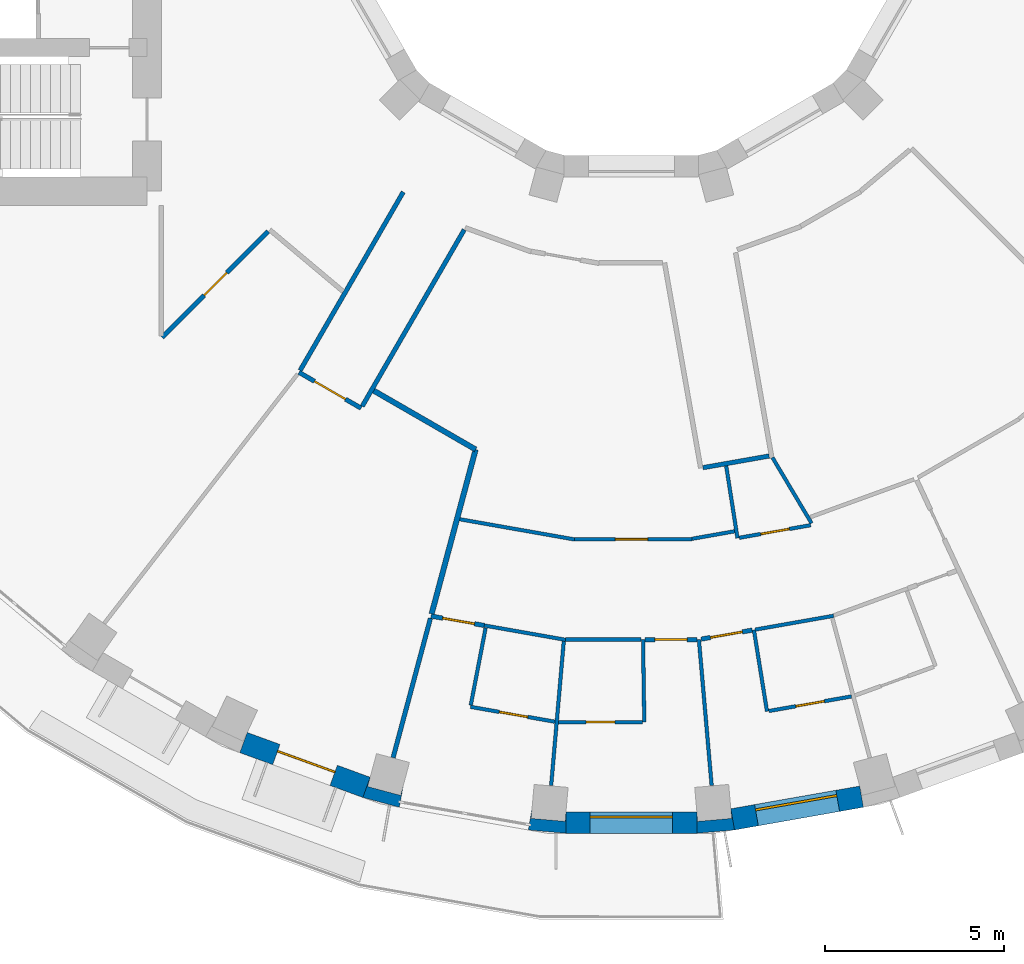
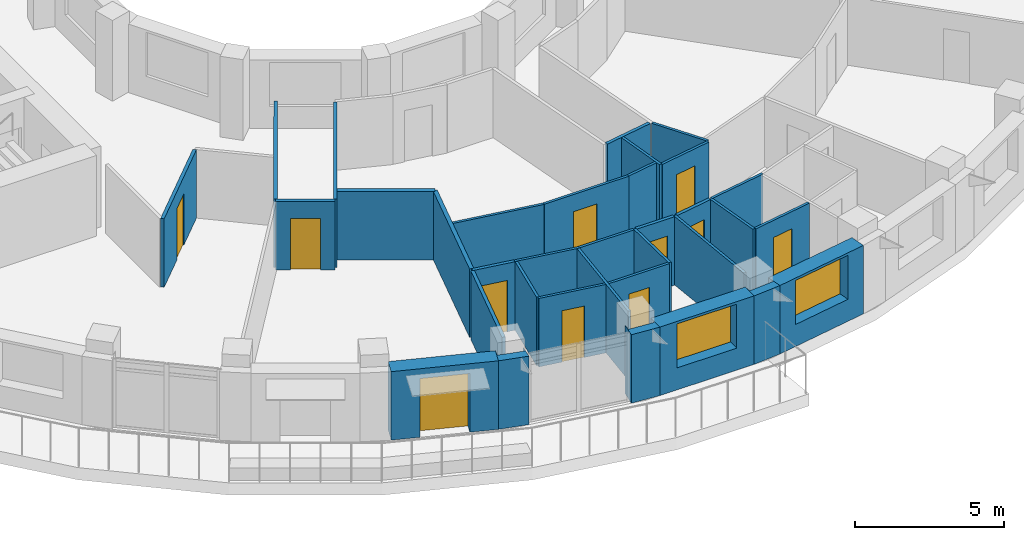
# One storey, part 4 of 14: 34 walls, 11 doors, 2 windows, 13 openings.
"""IFC4 building model written with IfcOpenShell, lengths in metres."""

import ifcopenshell
import ifcopenshell.guid

model = None  # the IFC model being written
_history = None  # IfcOwnerHistory: only IFC2X3 demands one
_inside = {}  # id of a spatial element -> (the spatial element, [elements in it])
_under = {}  # id of a project, library or spatial element -> (it, [spatial elements below it])
_declared = {}  # id of a project -> (the project, [libraries it declares])
_typed = {}  # id of a type object -> (the type object, [elements of that type])
_made_of = {}  # id of a material, layer set ... -> (it, [elements and type objects made of it])


def new_model(schema):
    """Start an empty IFC model of exactly this schema.

    Asked for "IFC4X3", IfcOpenShell would pick the latest addendum, in which some entities
    have other attributes; the version numbers below select the first issue.
    IFC2X3 requires an IfcOwnerHistory on every rooted entity: one is made here for all.
    """
    global model, _history
    if schema == "IFC4X3":
        model = ifcopenshell.file(schema_version=(4, 3, 0, 0))
    else:
        model = ifcopenshell.file(schema=schema)
    _inside.clear()
    _under.clear()
    _declared.clear()
    _typed.clear()
    _made_of.clear()
    _history = None
    if model.schema == "IFC2X3":
        org = make("IfcOrganization", Name="unknown")
        user = make(
            "IfcPersonAndOrganization",
            ThePerson=make("IfcPerson", FamilyName="unknown"),
            TheOrganization=org,
        )
        app = make(
            "IfcApplication",
            ApplicationDeveloper=org,
            Version="unknown",
            ApplicationFullName="unknown",
            ApplicationIdentifier="unknown",
        )
        _history = make(
            "IfcOwnerHistory",
            OwningUser=user,
            OwningApplication=app,
            ChangeAction="ADDED",
            CreationDate=0,
        )
    return model


def make(cls, **values):
    """One entity of the class cls with the attributes given. An attribute that is None is left unset."""
    return model.create_entity(
        cls, **{name: value for name, value in values.items() if value is not None}
    )


def rooted(cls, **values):
    """An entity with a GlobalId (a new one), such as an element, a storey or a relation."""
    return make(cls, GlobalId=ifcopenshell.guid.new(), OwnerHistory=_history, **values)


def si_unit(unit_type, name, prefix=None):
    """IfcSIUnit, for example si_unit("LENGTHUNIT", "METRE", prefix="MILLI")."""
    return make("IfcSIUnit", UnitType=unit_type, Prefix=prefix, Name=name)


def assignment(units):
    """IfcUnitAssignment: the units of a project."""
    return None if units is None else make("IfcUnitAssignment", Units=units)


def point(xyz):
    """IfcCartesianPoint."""
    return None if xyz is None else make("IfcCartesianPoint", Coordinates=xyz)


def direction(xyz):
    """IfcDirection."""
    return None if xyz is None else make("IfcDirection", DirectionRatios=xyz)


def frame(location, z_axis=None, x_axis=None):
    """IfcAxis2Placement3D, a coordinate frame: its origin and axes. An axis left out is left unset."""
    return make(
        "IfcAxis2Placement3D",
        Location=point(location),
        Axis=direction(z_axis),
        RefDirection=direction(x_axis),
    )


def frame_2d(location, x_axis=None):
    """IfcAxis2Placement2D, a coordinate frame in the plane: its origin and x axis."""
    return make(
        "IfcAxis2Placement2D", Location=point(location), RefDirection=direction(x_axis)
    )


def origin():
    """The frame at (0, 0, 0) with its axes left unset."""
    return frame((0.0, 0.0, 0.0))


def place(relative_to, where):
    """IfcLocalPlacement: puts the frame where relative to a parent placement (None: the world)."""
    return make(
        "IfcLocalPlacement", PlacementRelTo=relative_to, RelativePlacement=where
    )


def context(
    kind, dimensions, precision=None, world=None, true_north=None, identifier=None
):
    """IfcGeometricRepresentationContext, for example the 3D "Model" context."""
    return make(
        "IfcGeometricRepresentationContext",
        ContextIdentifier=identifier,
        ContextType=kind,
        CoordinateSpaceDimension=dimensions,
        Precision=precision,
        WorldCoordinateSystem=world,
        TrueNorth=true_north,
    )


def subcontext(parent, identifier, kind, view, scale=None):
    """IfcGeometricRepresentationSubContext, for example "Body" below "Model"."""
    return make(
        "IfcGeometricRepresentationSubContext",
        ContextIdentifier=identifier,
        ContextType=kind,
        ParentContext=parent,
        TargetScale=scale,
        TargetView=view,
    )


def project(units=None, contexts=None):
    """IfcProject with its units and contexts."""
    return rooted(
        "IfcProject",
        Name="project",
        RepresentationContexts=contexts,
        UnitsInContext=assignment(units),
    )


def spatial(cls, under=None, at=None, **own):
    """A site, building, storey or space (cls), placed at a placement, below another one or the project."""
    s = rooted(cls, ObjectPlacement=at, **own)
    if under is not None:
        _under.setdefault(under.id(), (under, []))[1].append(s)
    return s


def polyline(points):
    """IfcPolyline through the points."""
    return make("IfcPolyline", Points=[point(p) for p in points])


def profile(cls, at=None, kind="AREA", **sizes):
    """A parametric profile (cls). Its sizes go by their IFC names, for example OverallWidth=200.0."""
    return make(cls, ProfileType=kind, Position=at, **sizes)


def rectangle(**sizes):
    """IfcRectangleProfileDef."""
    return profile("IfcRectangleProfileDef", **sizes)


def outline(outer, holes=None, kind="AREA"):
    """IfcArbitraryClosedProfileDef: a profile drawn as a closed curve; with holes, ...WithVoids."""
    if holes is None:
        return make("IfcArbitraryClosedProfileDef", ProfileType=kind, OuterCurve=outer)
    return make(
        "IfcArbitraryProfileDefWithVoids",
        ProfileType=kind,
        OuterCurve=outer,
        InnerCurves=holes,
    )


def extrude(swept, where, along, depth):
    """IfcExtrudedAreaSolid: the profile swept, set in the frame where, extruded along a direction by depth."""
    return make(
        "IfcExtrudedAreaSolid",
        SweptArea=swept,
        Position=where,
        ExtrudedDirection=direction(along),
        Depth=depth,
    )


def shape(context_of_items, identifier, shape_type, items):
    """IfcShapeRepresentation: the items that make up one representation, for example the "Body"."""
    return make(
        "IfcShapeRepresentation",
        ContextOfItems=context_of_items,
        RepresentationIdentifier=identifier,
        RepresentationType=shape_type,
        Items=items,
    )


def material(Name=None, Category=None):
    """IfcMaterial."""
    return make("IfcMaterial", Name=Name, Category=Category)


def layer(
    of_material, thickness, ventilated=None, Name=None, Category=None, Priority=None
):
    """IfcMaterialLayer: one layer of a wall or slab, of a material (None: an air gap)."""
    return make(
        "IfcMaterialLayer",
        Material=of_material,
        LayerThickness=thickness,
        IsVentilated=ventilated,
        Name=Name,
        Category=Category,
        Priority=Priority,
    )


def layer_set(layers, Name=None):
    """IfcMaterialLayerSet."""
    return make("IfcMaterialLayerSet", MaterialLayers=layers, LayerSetName=Name)


def made_of(thing, what):
    """Note that an element or type object is made of a material, layer set ...; save() writes the relation."""
    if what is not None:
        _made_of.setdefault(what.id(), (what, []))[1].append(thing)
    return thing


def type_object(cls, material=None, **own):
    """A type object (cls), such as IfcWallType, which elements share."""
    return made_of(rooted(cls, **own), material)


def element(
    cls,
    number,
    at=None,
    inside=None,
    cuts=None,
    type_object=None,
    material=None,
    context=None,
    identifier="Body",
    shape_type=None,
    held_by="IfcProductDefinitionShape",
    body=None,
    shapes=None,
    **own,
):
    """One element of the class cls, such as IfcWall. Its Tag is "e" and its number.

    at: its placement. inside: the storey or other place that contains it. cuts: it is an
    opening in that element (IfcRelVoidsElement). A single representation is given by context,
    identifier, shape_type and body (its items); several are given by shapes. held_by: the class
    of the entity that holds the representations. save() writes the other relations.
    """
    e = rooted(cls, Tag="e%d" % number, ObjectPlacement=at, **own)
    if body is not None:
        shapes = [shape(context, identifier, shape_type, body)]
    if shapes is not None:
        e.Representation = make(held_by, Representations=shapes)
    if inside is not None:
        _inside.setdefault(inside.id(), (inside, []))[1].append(e)
    if cuts is not None:
        rooted(
            "IfcRelVoidsElement", RelatingBuildingElement=cuts, RelatedOpeningElement=e
        )
    if type_object is not None:
        _typed.setdefault(type_object.id(), (type_object, []))[1].append(e)
    return made_of(e, material)


def fill(opening, filler):
    """IfcRelFillsElement: the door or window that sits in an opening."""
    return rooted(
        "IfcRelFillsElement",
        RelatingOpeningElement=opening,
        RelatedBuildingElement=filler,
    )


def aggregate(whole, parts):
    """IfcRelAggregates: a whole, such as a stair, and the parts it consists of."""
    return rooted("IfcRelAggregates", RelatingObject=whole, RelatedObjects=parts)


def save(model, path):
    """Write the relations noted so far, then the file.

    IfcRelAggregates (storeys below a building ...), IfcRelContainedInSpatialStructure (elements
    in a storey), IfcRelDefinesByType, IfcRelAssociatesMaterial and IfcRelDeclares: one each for
    every whole, place, type object, material and project.
    """
    for whole, parts in _under.values():
        aggregate(whole, parts)
    for where, things in _inside.values():
        rooted(
            "IfcRelContainedInSpatialStructure",
            RelatedElements=things,
            RelatingStructure=where,
        )
    for kind, things in _typed.values():
        rooted("IfcRelDefinesByType", RelatedObjects=things, RelatingType=kind)
    for what, things in _made_of.values():
        rooted("IfcRelAssociatesMaterial", RelatedObjects=things, RelatingMaterial=what)
    for by, libraries in _declared.values():
        rooted("IfcRelDeclares", RelatingContext=by, RelatedDefinitions=libraries)
    model.write(path)


model = new_model("IFC4")

# Units and contexts
model_context = context("Model", 3, precision=1e-05, world=origin(), true_north=direction((0.0, 1.0)))
body_context = subcontext(model_context, "Body", "Model", "MODEL_VIEW")
ifc_project = project(units=[si_unit("LENGTHUNIT", "METRE"), si_unit("AREAUNIT", "SQUARE_METRE"), si_unit("VOLUMEUNIT", "CUBIC_METRE"), si_unit("PLANEANGLEUNIT", "RADIAN"), si_unit("MASSUNIT", "GRAM", prefix="KILO")], contexts=[model_context])

# Site, building, storey
site_placement = place(None, origin())
site = spatial("IfcSite", under=ifc_project, at=site_placement, CompositionType="ELEMENT")
building_placement = place(site_placement, origin())
building = spatial("IfcBuilding", under=site, at=building_placement, Name="Saqina Gate Tower", CompositionType="ELEMENT")
storey_placement = place(building_placement, frame((0.0, 0.0, 138.10009765625)))
storey = spatial("IfcBuildingStorey", under=building, at=storey_placement, Name="L39", CompositionType="ELEMENT", Elevation=138.10009765625)

# Walls
ifc_material_1 = material(Name="Brick masonry (buff)", Category="masonry")
wall_type_1 = type_object("IfcWallType", Name="BRICK PIER COPING BUFF", PredefinedType="SOLIDWALL", material=ifc_material_1)
wall_1_placement = place(storey_placement, origin())
element("IfcWall", 1, at=wall_1_placement, inside=storey, type_object=wall_type_1, Name="Pier cap L39 column 26", PredefinedType="SOLIDWALL", context=body_context, shape_type="SweptSolid", body=[
    extrude(outline(polyline([(-7.485595703125, -25.89892578125), (-6.466796875, -26.171875), (-6.36279296875, -25.5810546875), (-6.43212890625, -25.8408203125), (-7.349853515625, -25.5947265625), (-7.2802734375, -25.335205078125), (-7.485595703125, -25.89892578125)])), origin(), (0.0, 0.0, 1.0), 2.7998046875),
])
wall_2_placement = place(storey_placement, origin())
element("IfcWall", 2, at=wall_2_placement, inside=storey, type_object=wall_type_1, Name="Pier cap L39 column 27", PredefinedType="SOLIDWALL", context=body_context, shape_type="SweptSolid", body=[
    extrude(outline(polyline([(-2.87451171875, -26.805419921875), (-1.823974609375, -26.897216796875), (-1.823974609375, -26.29736328125), (-1.847412109375, -26.565185546875), (-2.793701171875, -26.482421875), (-2.770263671875, -26.214599609375), (-2.87451171875, -26.805419921875)])), origin(), (0.0, 0.0, 1.0), 2.7998046875),
])
wall_3_placement = place(storey_placement, origin())
element("IfcWall", 3, at=wall_3_placement, inside=storey, type_object=wall_type_1, Name="Pier cap L39 column 28", PredefinedType="SOLIDWALL", context=body_context, shape_type="SweptSolid", body=[
    extrude(outline(polyline([(2.87451171875, -26.805419921875), (2.770263671875, -26.214599609375), (2.793701171875, -26.482421875), (1.847412109375, -26.565185546875), (1.823974609375, -26.29736328125), (1.823974609375, -26.897216796875), (2.87451171875, -26.805419921875)])), origin(), (0.0, 0.0, 1.0), 2.7998046875),
])

# Wall, opening, door
ifc_material_2 = material(Name="Brick masonry (buff)", Category="masonry")
ifc_layer_1 = layer(ifc_material_2, 0.60009765625)
ifc_layer_set_1 = layer_set([ifc_layer_1], Name="FW-BRICK-BUFF")
wall_type_2 = type_object("IfcWallType", Name="FW-BRICK-BUFF", PredefinedType="SOLIDWALL", material=ifc_layer_set_1)
wall_4_placement = place(storey_placement, frame((-10.810791015625, -24.369384765625, 0.0), z_axis=(0.0, 0.0, 1.0), x_axis=(0.939703505393, -0.341990236633, 0.0)))
wall_4 = element("IfcWall", 4, at=wall_4_placement, inside=storey, type_object=wall_type_2, Name="Facade wall L39 facet 25", PredefinedType="SOLIDWALL", context=body_context, shape_type="SweptSolid", body=[
    extrude(rectangle(XDim=3.64794921875, YDim=0.60009765625, at=frame_2d((1.823974609375, 0.0))), origin(), (0.0, 0.0, 1.0), 2.7998046875),
])
opening_1_placement = place(wall_4_placement, frame((0.973876953125, 0.0, 0.0)))
opening_1 = element("IfcOpeningElement", 5, at=opening_1_placement, cuts=wall_4, Name="Opening G11-D81", PredefinedType="OPENING", context=body_context, shape_type="SweptSolid", body=[
    extrude(rectangle(XDim=1.699951171875, YDim=2.39990234375, at=frame_2d((0.85009765625, 1.199951171875))), frame((0.0, 0.31201171875, 0.0), z_axis=(0.0, -1.0, 0.0), x_axis=(1.0, 0.0, 0.0)), (0.0, 0.0, 1.0), 0.6240234375),
])
ifc_material_3 = material(Name="Aluminium glazing", Category="aluminium")
door_type_1 = type_object("IfcDoorType", Name="GD-B", OperationType="DOUBLE_DOOR_SINGLE_SWING", PredefinedType="DOOR", material=ifc_material_3)
door_1_placement = place(opening_1_placement, origin())
door_1 = element("IfcDoor", 6, at=door_1_placement, inside=storey, type_object=door_type_1, Name="Terrace door L39 facet 25", OperationType="DOUBLE_DOOR_SINGLE_SWING", OverallHeight=2.39990234375, OverallWidth=1.699951171875, PredefinedType="DOOR", context=body_context, shape_type="SweptSolid", body=[
    extrude(rectangle(XDim=1.699951171875, YDim=2.39990234375, at=frame_2d((0.85009765625, 1.199951171875))), frame((0.0, 0.125, 0.0), z_axis=(0.0, -1.0, 0.0), x_axis=(1.0, 0.0, 0.0)), (0.0, 0.0, 1.0), 0.050048828125),
])
fill(opening_1, door_1)

# Wall, opening, window
wall_5_placement = place(storey_placement, frame((-1.823974609375, -26.59716796875, 0.0), z_axis=(0.0, 0.0, 1.0), x_axis=(1.0, 0.0, 0.0)))
wall_5 = element("IfcWall", 7, at=wall_5_placement, inside=storey, type_object=wall_type_2, Name="Facade wall L39 facet 27", PredefinedType="SOLIDWALL", context=body_context, shape_type="SweptSolid", body=[
    extrude(rectangle(XDim=3.64794921875, YDim=0.60009765625, at=frame_2d((1.823974609375, 0.0))), origin(), (0.0, 0.0, 1.0), 2.7998046875),
])
opening_2_placement = place(wall_5_placement, frame((0.673828125, 0.0, 0.89990234375)))
opening_2 = element("IfcOpeningElement", 8, at=opening_2_placement, cuts=wall_5, Name="Opening G11-W16", PredefinedType="OPENING", context=body_context, shape_type="SweptSolid", body=[
    extrude(rectangle(XDim=2.300048828125, YDim=1.800048828125, at=frame_2d((1.14990234375, 0.89990234375))), frame((0.0, 0.31201171875, 0.0), z_axis=(0.0, -1.0, 0.0), x_axis=(1.0, 0.0, 0.0)), (0.0, 0.0, 1.0), 0.6240234375),
])
ifc_material_4 = material(Name="Aluminium glazing", Category="aluminium")
window_type = type_object("IfcWindowType", Name="WN-B", PartitioningType="SINGLE_PANEL", PredefinedType="WINDOW", material=ifc_material_4)
window_1_placement = place(opening_2_placement, origin())
window_1 = element("IfcWindow", 9, at=window_1_placement, inside=storey, type_object=window_type, Name="Window L39 facet 27", OverallHeight=1.800048828125, OverallWidth=2.300048828125, PartitioningType="SINGLE_PANEL", PredefinedType="WINDOW", context=body_context, shape_type="SweptSolid", body=[
    extrude(rectangle(XDim=2.300048828125, YDim=1.800048828125, at=frame_2d((1.14990234375, 0.89990234375))), frame((0.0, 0.179931640625, 0.0), z_axis=(0.0, -1.0, 0.0), x_axis=(1.0, 0.0, 0.0)), (0.0, 0.0, 1.0), 0.06005859375),
])
fill(opening_2, window_1)

wall_6_placement = place(storey_placement, frame((2.822265625, -26.510009765625, 0.0), z_axis=(0.0, 0.0, 1.0), x_axis=(0.984803764455, 0.173670796382, 0.0)))
wall_6 = element("IfcWall", 10, at=wall_6_placement, inside=storey, type_object=wall_type_2, Name="Facade wall L39 facet 28", PredefinedType="SOLIDWALL", context=body_context, shape_type="SweptSolid", body=[
    extrude(rectangle(XDim=3.64794921875, YDim=0.60009765625, at=frame_2d((1.823974609375, 0.0))), origin(), (0.0, 0.0, 1.0), 2.7998046875),
])
opening_3_placement = place(wall_6_placement, frame((0.673828125, 0.0, 0.89990234375)))
opening_3 = element("IfcOpeningElement", 11, at=opening_3_placement, cuts=wall_6, Name="Opening G11-W17", PredefinedType="OPENING", context=body_context, shape_type="SweptSolid", body=[
    extrude(rectangle(XDim=2.300048828125, YDim=1.800048828125, at=frame_2d((1.14990234375, 0.89990234375))), frame((0.0, 0.31201171875, 0.0), z_axis=(0.0, -1.0, 0.0), x_axis=(1.0, 0.0, 0.0)), (0.0, 0.0, 1.0), 0.6240234375),
])
window_2_placement = place(opening_3_placement, origin())
window_2 = element("IfcWindow", 12, at=window_2_placement, inside=storey, type_object=window_type, Name="Window L39 facet 28", OverallHeight=1.800048828125, OverallWidth=2.300048828125, PartitioningType="SINGLE_PANEL", PredefinedType="WINDOW", context=body_context, shape_type="SweptSolid", body=[
    extrude(rectangle(XDim=2.300048828125, YDim=1.800048828125, at=frame_2d((1.14990234375, 0.89990234375))), frame((0.0, 0.179931640625, 0.0), z_axis=(0.0, -1.0, 0.0), x_axis=(1.0, 0.0, 0.0)), (0.0, 0.0, 1.0), 0.06005859375),
])
fill(opening_3, window_2)

# Walls
ifc_material_5 = material(Name="Gypsum board on steel studs, 100 mm", Category="steel")
ifc_layer_2 = layer(ifc_material_5, 0.10009765625)
ifc_layer_set_2 = layer_set([ifc_layer_2], Name="PARTITION 100")
wall_type_3 = type_object("IfcWallType", Name="PARTITION 100", PredefinedType="PARTITIONING", material=ifc_layer_set_2)
wall_7_placement = place(storey_placement, frame((0.323974609375, -21.4970703125, 0.0), z_axis=(0.0, 0.0, 1.0), x_axis=(0.015177107463, -0.999884821071, 0.0)))
element("IfcWall", 13, at=wall_7_placement, inside=storey, type_object=wall_type_3, Name="PARTITION PW3-01", PredefinedType="PARTITIONING", context=body_context, shape_type="SweptSolid", body=[
    extrude(rectangle(XDim=2.30029296875, YDim=0.10009765625, at=frame_2d((1.150146484375, 0.0))), origin(), (0.0, 0.0, 1.0), 2.7998046875),
])
wall_8_placement = place(storey_placement, frame((1.881103515625, -21.4970703125, 0.0), z_axis=(0.0, 0.0, 1.0), x_axis=(0.087060211484, -0.996203051379, 0.0)))
element("IfcWall", 14, at=wall_8_placement, inside=storey, type_object=wall_type_3, Name="PARTITION PW3-03", PredefinedType="PARTITIONING", context=body_context, shape_type="SweptSolid", body=[
    extrude(rectangle(XDim=4.0859375, YDim=0.10009765625, at=frame_2d((2.04296875, 0.0))), origin(), (0.0, 0.0, 1.0), 2.7998046875),
])
wall_9_placement = place(storey_placement, frame((2.641845703125, -16.656494140625, 0.0), z_axis=(0.0, 0.0, 1.0), x_axis=(0.154658266248, -0.987968026143, 0.0)))
element("IfcWall", 15, at=wall_9_placement, inside=storey, type_object=wall_type_3, Name="PARTITION PW3-04", PredefinedType="PARTITIONING", context=body_context, shape_type="SweptSolid", body=[
    extrude(rectangle(XDim=2.037841796875, YDim=0.10009765625, at=frame_2d((1.01904296875, 0.0))), origin(), (0.0, 0.0, 1.0), 2.7998046875),
])
wall_10_placement = place(storey_placement, frame((3.4140625, -21.22705078125, 0.0), z_axis=(0.0, 0.0, 1.0), x_axis=(0.15868179071, -0.987329777378, 0.0)))
element("IfcWall", 16, at=wall_10_placement, inside=storey, type_object=wall_type_3, Name="PARTITION PW3-05", PredefinedType="PARTITIONING", context=body_context, shape_type="SweptSolid", body=[
    extrude(rectangle(XDim=2.300048828125, YDim=0.10009765625, at=frame_2d((1.14990234375, 0.0))), origin(), (0.0, 0.0, 1.0), 2.7998046875),
])
wall_11_placement = place(storey_placement, frame((3.931884765625, -16.42578125, 0.0), z_axis=(0.0, 0.0, 1.0), x_axis=(0.511292595627, -0.859406703288, 0.0)))
element("IfcWall", 17, at=wall_11_placement, inside=storey, type_object=wall_type_3, Name="PARTITION PW3-16", PredefinedType="PARTITIONING", context=body_context, shape_type="SweptSolid", body=[
    extrude(rectangle(XDim=2.132080078125, YDim=0.10009765625, at=frame_2d((1.06591796875, 0.0))), origin(), (0.0, 0.0, 1.0), 2.7998046875),
])

# Wall, opening, door
wall_12_placement = place(storey_placement, frame((-4.486083984375, -23.373046875, 0.0), z_axis=(0.0, 0.0, 1.0), x_axis=(0.984802055472, -0.173680486922, 0.0)))
wall_12 = element("IfcWall", 18, at=wall_12_placement, inside=storey, type_object=wall_type_3, Name="PARTITION PW3-32", PredefinedType="PARTITIONING", context=body_context, shape_type="SweptSolid", body=[
    extrude(rectangle(XDim=2.39111328125, YDim=0.10009765625, at=frame_2d((1.195556640625, 0.0))), origin(), (0.0, 0.0, 1.0), 2.7998046875),
])
opening_4_placement = place(wall_12_placement, frame((0.820556640625, 0.0, 0.0)))
opening_4 = element("IfcOpeningElement", 19, at=opening_4_placement, cuts=wall_12, Name="Opening G11-D31", PredefinedType="OPENING", context=body_context, shape_type="SweptSolid", body=[
    extrude(rectangle(XDim=0.800048828125, YDim=2.10009765625, at=frame_2d((0.39990234375, 1.050048828125))), frame((0.0, 0.06201171875, 0.0), z_axis=(0.0, -1.0, 0.0), x_axis=(1.0, 0.0, 0.0)), (0.0, 0.0, 1.0), 0.1240234375),
])
ifc_material_6 = material(Name="Timber door leaf, 800 mm", Category="wood")
door_type_2 = type_object("IfcDoorType", Name="DOOR 800 TIMBER", OperationType="SINGLE_SWING_LEFT", PredefinedType="DOOR", material=ifc_material_6)
door_2_placement = place(opening_4_placement, frame((0.800048828125, 0.0, 0.0), z_axis=(0.0, 0.0, 1.0), x_axis=(-1.0, 0.0, 0.0)))
door_2 = element("IfcDoor", 20, at=door_2_placement, inside=storey, type_object=door_type_2, Name="DOOR G11-D31", OperationType="SINGLE_SWING_LEFT", OverallHeight=2.10009765625, OverallWidth=0.800048828125, PredefinedType="DOOR", context=body_context, shape_type="SweptSolid", body=[
    extrude(rectangle(XDim=0.800048828125, YDim=2.10009765625, at=frame_2d((0.39990234375, 1.050048828125))), frame((0.0, 0.02490234375, 0.0), z_axis=(0.0, -1.0, 0.0), x_axis=(1.0, 0.0, 0.0)), (0.0, 0.0, 1.0), 0.050048828125),
])
fill(opening_4, door_2)

# Walls
wall_13_placement = place(storey_placement, frame((-4.101318359375, -21.105224609375, 0.0), z_axis=(0.0, 0.0, 1.0), x_axis=(0.984783558818, -0.173785333909, 0.0)))
element("IfcWall", 21, at=wall_13_placement, inside=storey, type_object=wall_type_3, Name="PARTITION PW3-33", PredefinedType="PARTITIONING", context=body_context, shape_type="SweptSolid", body=[
    extrude(rectangle(XDim=2.305419921875, YDim=0.10009765625, at=frame_2d((1.15283203125, 0.0))), origin(), (0.0, 0.0, 1.0), 2.7998046875),
])
wall_14_placement = place(storey_placement, frame((-4.7841796875, -18.14404296875, 0.0), z_axis=(0.0, 0.0, 1.0), x_axis=(0.98481910853, -0.173583765007, 0.0)))
element("IfcWall", 22, at=wall_14_placement, inside=storey, type_object=wall_type_3, Name="PARTITION PW3-34", PredefinedType="PARTITIONING", context=body_context, shape_type="SweptSolid", body=[
    extrude(rectangle(XDim=3.24755859375, YDim=0.10009765625, at=frame_2d((1.623779296875, 0.0))), origin(), (0.0, 0.0, 1.0), 2.7998046875),
])

# Wall, opening, door
wall_15_placement = place(storey_placement, frame((-2.031982421875, -23.797119140625, 0.0), z_axis=(0.0, 0.0, 1.0), x_axis=(1.0, 0.0, 0.0)))
wall_15 = element("IfcWall", 23, at=wall_15_placement, inside=storey, type_object=wall_type_3, Name="PARTITION PW3-38", PredefinedType="PARTITIONING", context=body_context, shape_type="SweptSolid", body=[
    extrude(rectangle(XDim=2.341064453125, YDim=0.10009765625, at=frame_2d((1.17041015625, 0.0))), origin(), (0.0, 0.0, 1.0), 2.7998046875),
])
opening_5_placement = place(wall_15_placement, frame((0.7705078125, 0.0, 0.0)))
opening_5 = element("IfcOpeningElement", 24, at=opening_5_placement, cuts=wall_15, Name="Opening G11-D32", PredefinedType="OPENING", context=body_context, shape_type="SweptSolid", body=[
    extrude(rectangle(XDim=0.800048828125, YDim=2.10009765625, at=frame_2d((0.39990234375, 1.050048828125))), frame((0.0, 0.06201171875, 0.0), z_axis=(0.0, -1.0, 0.0), x_axis=(1.0, 0.0, 0.0)), (0.0, 0.0, 1.0), 0.1240234375),
])
door_3_placement = place(opening_5_placement, frame((0.800048828125, 0.0, 0.0), z_axis=(0.0, 0.0, 1.0), x_axis=(-1.0, 0.0, 0.0)))
door_3 = element("IfcDoor", 25, at=door_3_placement, inside=storey, type_object=door_type_2, Name="DOOR G11-D32", OperationType="SINGLE_SWING_RIGHT", OverallHeight=2.10009765625, OverallWidth=0.800048828125, PredefinedType="DOOR", context=body_context, shape_type="SweptSolid", body=[
    extrude(rectangle(XDim=0.800048828125, YDim=2.10009765625, at=frame_2d((0.39990234375, 1.050048828125))), frame((0.0, 0.02490234375, 0.0), z_axis=(0.0, -1.0, 0.0), x_axis=(1.0, 0.0, 0.0)), (0.0, 0.0, 1.0), 0.050048828125),
])
fill(opening_5, door_3)

# Wall
wall_16_placement = place(storey_placement, frame((-1.8310546875, -21.4970703125, 0.0), z_axis=(0.0, 0.0, 1.0), x_axis=(1.0, 0.0, 0.0)))
element("IfcWall", 26, at=wall_16_placement, inside=storey, type_object=wall_type_3, Name="PARTITION PW3-39", PredefinedType="PARTITIONING", context=body_context, shape_type="SweptSolid", body=[
    extrude(rectangle(XDim=2.10498046875, YDim=0.10009765625, at=frame_2d((1.052490234375, 0.0))), origin(), (0.0, 0.0, 1.0), 2.7998046875),
])

# Wall, opening, door
wall_17_placement = place(storey_placement, frame((-1.5859375, -18.698974609375, 0.0), z_axis=(0.0, 0.0, 1.0), x_axis=(1.0, 0.0, 0.0)))
wall_17 = element("IfcWall", 27, at=wall_17_placement, inside=storey, type_object=wall_type_3, Name="PARTITION PW3-40", PredefinedType="PARTITIONING", context=body_context, shape_type="SweptSolid", body=[
    extrude(rectangle(XDim=3.272705078125, YDim=0.10009765625, at=frame_2d((1.63623046875, 0.0))), origin(), (0.0, 0.0, 1.0), 2.7998046875),
])
opening_6_placement = place(wall_17_placement, frame((1.135986328125, 0.0, 0.0)))
opening_6 = element("IfcOpeningElement", 28, at=opening_6_placement, cuts=wall_17, Name="Opening G11-D33", PredefinedType="OPENING", context=body_context, shape_type="SweptSolid", body=[
    extrude(rectangle(XDim=0.89990234375, YDim=2.10009765625, at=frame_2d((0.449951171875, 1.050048828125))), frame((0.0, 0.06201171875, 0.0), z_axis=(0.0, -1.0, 0.0), x_axis=(1.0, 0.0, 0.0)), (0.0, 0.0, 1.0), 0.1240234375),
])
ifc_material_7 = material(Name="Timber door leaf, 900 mm", Category="wood")
door_type_3 = type_object("IfcDoorType", Name="DOOR 900 TIMBER", OperationType="SINGLE_SWING_LEFT", PredefinedType="DOOR", material=ifc_material_7)
door_4_placement = place(opening_6_placement, origin())
door_4 = element("IfcDoor", 29, at=door_4_placement, inside=storey, type_object=door_type_3, Name="DOOR G11-D33", OperationType="SINGLE_SWING_LEFT", OverallHeight=2.10009765625, OverallWidth=0.89990234375, PredefinedType="DOOR", context=body_context, shape_type="SweptSolid", body=[
    extrude(rectangle(XDim=0.89990234375, YDim=2.10009765625, at=frame_2d((0.449951171875, 1.050048828125))), frame((0.0, 0.02490234375, 0.0), z_axis=(0.0, -1.0, 0.0), x_axis=(1.0, 0.0, 0.0)), (0.0, 0.0, 1.0), 0.050048828125),
])
fill(opening_6, door_4)

wall_18_placement = place(storey_placement, frame((3.828125, -23.4892578125, 0.0), z_axis=(0.0, 0.0, 1.0), x_axis=(0.984811890041, 0.173624713778, 0.0)))
wall_18 = element("IfcWall", 30, at=wall_18_placement, inside=storey, type_object=wall_type_3, Name="PARTITION PW3-44", PredefinedType="PARTITIONING", context=body_context, shape_type="SweptSolid", body=[
    extrude(rectangle(XDim=2.34130859375, YDim=0.10009765625, at=frame_2d((1.170654296875, 0.0))), origin(), (0.0, 0.0, 1.0), 2.7998046875),
])
opening_7_placement = place(wall_18_placement, frame((0.7705078125, 0.0, 0.0)))
opening_7 = element("IfcOpeningElement", 31, at=opening_7_placement, cuts=wall_18, Name="Opening G11-D36", PredefinedType="OPENING", context=body_context, shape_type="SweptSolid", body=[
    extrude(rectangle(XDim=0.800048828125, YDim=2.10009765625, at=frame_2d((0.39990234375, 1.050048828125))), frame((0.0, 0.06201171875, 0.0), z_axis=(0.0, -1.0, 0.0), x_axis=(1.0, 0.0, 0.0)), (0.0, 0.0, 1.0), 0.1240234375),
])
door_5_placement = place(opening_7_placement, frame((0.800048828125, 0.0, 0.0), z_axis=(0.0, 0.0, 1.0), x_axis=(-1.0, 0.0, 0.0)))
door_5 = element("IfcDoor", 32, at=door_5_placement, inside=storey, type_object=door_type_2, Name="DOOR G11-D36", OperationType="SINGLE_SWING_LEFT", OverallHeight=2.10009765625, OverallWidth=0.800048828125, PredefinedType="DOOR", context=body_context, shape_type="SweptSolid", body=[
    extrude(rectangle(XDim=0.800048828125, YDim=2.10009765625, at=frame_2d((0.39990234375, 1.050048828125))), frame((0.0, 0.02490234375, 0.0), z_axis=(0.0, -1.0, 0.0), x_axis=(1.0, 0.0, 0.0)), (0.0, 0.0, 1.0), 0.050048828125),
])
fill(opening_7, door_5)

# Wall
wall_19_placement = place(storey_placement, frame((3.4462890625, -21.221435546875, 0.0), z_axis=(0.0, 0.0, 1.0), x_axis=(0.984789083278, 0.173754025728, 0.0)))
element("IfcWall", 33, at=wall_19_placement, inside=storey, type_object=wall_type_3, Name="PARTITION PW3-45", PredefinedType="PARTITIONING", context=body_context, shape_type="SweptSolid", body=[
    extrude(rectangle(XDim=2.224365234375, YDim=0.10009765625, at=frame_2d((1.1123046875, 0.0))), origin(), (0.0, 0.0, 1.0), 2.7998046875),
])

# Wall, opening, door
wall_20_placement = place(storey_placement, frame((3.00732421875, -18.6611328125, 0.0), z_axis=(0.0, 0.0, 1.0), x_axis=(0.984806648716, 0.173654440325, 0.0)))
wall_20 = element("IfcWall", 34, at=wall_20_placement, inside=storey, type_object=wall_type_3, Name="PARTITION PW3-46", PredefinedType="PARTITIONING", context=body_context, shape_type="SweptSolid", body=[
    extrude(rectangle(XDim=2.021728515625, YDim=0.10009765625, at=frame_2d((1.0107421875, 0.0))), origin(), (0.0, 0.0, 1.0), 2.7998046875),
])
opening_8_placement = place(wall_20_placement, frame((0.611572265625, 0.0, 0.0)))
opening_8 = element("IfcOpeningElement", 35, at=opening_8_placement, cuts=wall_20, Name="Opening G11-D37", PredefinedType="OPENING", context=body_context, shape_type="SweptSolid", body=[
    extrude(rectangle(XDim=0.800048828125, YDim=2.10009765625, at=frame_2d((0.39990234375, 1.050048828125))), frame((0.0, 0.06201171875, 0.0), z_axis=(0.0, -1.0, 0.0), x_axis=(1.0, 0.0, 0.0)), (0.0, 0.0, 1.0), 0.1240234375),
])
door_6_placement = place(opening_8_placement, frame((0.800048828125, 0.0, 0.0), z_axis=(0.0, 0.0, 1.0), x_axis=(-1.0, 0.0, 0.0)))
door_6 = element("IfcDoor", 36, at=door_6_placement, inside=storey, type_object=door_type_2, Name="DOOR G11-D37", OperationType="SINGLE_SWING_LEFT", OverallHeight=2.10009765625, OverallWidth=0.800048828125, PredefinedType="DOOR", context=body_context, shape_type="SweptSolid", body=[
    extrude(rectangle(XDim=0.800048828125, YDim=2.10009765625, at=frame_2d((0.39990234375, 1.050048828125))), frame((0.0, 0.02490234375, 0.0), z_axis=(0.0, -1.0, 0.0), x_axis=(1.0, 0.0, 0.0)), (0.0, 0.0, 1.0), 0.050048828125),
])
fill(opening_8, door_6)

# Walls
wall_21_placement = place(storey_placement, frame((1.685302734375, -18.690185546875, 0.0), z_axis=(0.0, 0.0, 1.0), x_axis=(0.984742886049, 0.17401565555, 0.0)))
element("IfcWall", 37, at=wall_21_placement, inside=storey, type_object=wall_type_3, Name="PARTITION PW3-47", PredefinedType="PARTITIONING", context=body_context, shape_type="SweptSolid", body=[
    extrude(rectangle(XDim=1.20947265625, YDim=0.10009765625, at=frame_2d((0.604736328125, 0.0))), origin(), (0.0, 0.0, 1.0), 2.7998046875),
])
wall_22_placement = place(storey_placement, frame((-4.4765625, -23.323974609375, 0.0), z_axis=(0.0, 0.0, 1.0), x_axis=(0.188685986474, 0.982037473067, 0.0)))
element("IfcWall", 38, at=wall_22_placement, inside=storey, type_object=wall_type_3, Name="PARTITION PW3-82", PredefinedType="PARTITIONING", context=body_context, shape_type="SweptSolid", body=[
    extrude(rectangle(XDim=2.18798828125, YDim=0.10009765625, at=frame_2d((1.093994140625, 0.0))), origin(), (0.0, 0.0, 1.0), 2.7998046875),
])
wall_23_placement = place(storey_placement, frame((-2.23681640625, -25.5673828125, 0.0), z_axis=(0.0, 0.0, 1.0), x_axis=(0.087169951933, 0.996193454847, 0.0)))
element("IfcWall", 39, at=wall_23_placement, inside=storey, type_object=wall_type_3, Name="PARTITION PW3-84", PredefinedType="PARTITIONING", context=body_context, shape_type="SweptSolid", body=[
    extrude(rectangle(XDim=4.035888671875, YDim=0.10009765625, at=frame_2d((2.01806640625, 0.0))), origin(), (0.0, 0.0, 1.0), 2.7998046875),
])

# Wall, opening, door
ifc_material_8 = material(Name="Gypsum board on steel studs, 125 mm, fire rated", Category="steel")
ifc_layer_3 = layer(ifc_material_8, 0.125)
ifc_layer_set_3 = layer_set([ifc_layer_3], Name="PARTITION EI 30 125")
wall_type_4 = type_object("IfcWallType", Name="PARTITION EI 30 125", PredefinedType="PARTITIONING", material=ifc_layer_set_3)
wall_24_placement = place(storey_placement, frame((-9.26416015625, -14.050048828125, 0.0), z_axis=(0.0, 0.0, 1.0), x_axis=(0.866008543052, -0.500029202507, 0.0)))
wall_24 = element("IfcWall", 40, at=wall_24_placement, inside=storey, type_object=wall_type_4, Name="PARTITION PW1-10", PredefinedType="PARTITIONING", context=body_context, shape_type="SweptSolid", body=[
    extrude(rectangle(XDim=1.998046875, YDim=0.125, at=frame_2d((0.9990234375, 0.0))), origin(), (0.0, 0.0, 1.0), 2.7998046875),
])
opening_9_placement = place(wall_24_placement, frame((0.497802734375, 0.0, 0.0)))
opening_9 = element("IfcOpeningElement", 41, at=opening_9_placement, cuts=wall_24, Name="Opening G11-D28", PredefinedType="OPENING", context=body_context, shape_type="SweptSolid", body=[
    extrude(rectangle(XDim=1.0, YDim=2.10009765625, at=frame_2d((0.5, 1.050048828125))), frame((0.0, 0.074462890625, 0.0), z_axis=(0.0, -1.0, 0.0), x_axis=(1.0, 0.0, 0.0)), (0.0, 0.0, 1.0), 0.14892578125),
])
ifc_material_9 = material(Name="Fire door leaf EI 30, 1000 mm")
door_type_4 = type_object("IfcDoorType", Name="DOOR 1000 EI 30", OperationType="SINGLE_SWING_LEFT", PredefinedType="DOOR", material=ifc_material_9)
door_7_placement = place(opening_9_placement, origin())
door_7 = element("IfcDoor", 42, at=door_7_placement, inside=storey, type_object=door_type_4, Name="DOOR G11-D28", OperationType="SINGLE_SWING_RIGHT", OverallHeight=2.10009765625, OverallWidth=1.0, PredefinedType="DOOR", context=body_context, shape_type="SweptSolid", body=[
    extrude(rectangle(XDim=1.0, YDim=2.10009765625, at=frame_2d((0.5, 1.050048828125))), frame((0.0, 0.02490234375, 0.0), z_axis=(0.0, -1.0, 0.0), x_axis=(1.0, 0.0, 0.0)), (0.0, 0.0, 1.0), 0.050048828125),
])
fill(opening_9, door_7)

wall_25_placement = place(storey_placement, frame((-5.5849609375, -20.843994140625, 0.0), z_axis=(0.0, 0.0, 1.0), x_axis=(0.984850377204, -0.173406270135, 0.0)))
wall_25 = element("IfcWall", 43, at=wall_25_placement, inside=storey, type_object=wall_type_4, Name="PARTITION PW1-15", PredefinedType="PARTITIONING", context=body_context, shape_type="SweptSolid", body=[
    extrude(rectangle(XDim=1.50634765625, YDim=0.125, at=frame_2d((0.753173828125, 0.0))), origin(), (0.0, 0.0, 1.0), 2.7998046875),
])
opening_10_placement = place(wall_25_placement, frame((0.328369140625, 0.0, 0.0)))
opening_10 = element("IfcOpeningElement", 44, at=opening_10_placement, cuts=wall_25, Name="Opening G11-D29", PredefinedType="OPENING", context=body_context, shape_type="SweptSolid", body=[
    extrude(rectangle(XDim=0.89990234375, YDim=2.10009765625, at=frame_2d((0.449951171875, 1.050048828125))), frame((0.0, 0.074462890625, 0.0), z_axis=(0.0, -1.0, 0.0), x_axis=(1.0, 0.0, 0.0)), (0.0, 0.0, 1.0), 0.14892578125),
])
ifc_material_10 = material(Name="Fire door leaf EI 30, 900 mm")
door_type_5 = type_object("IfcDoorType", Name="DOOR 900 EI 30", OperationType="SINGLE_SWING_LEFT", PredefinedType="DOOR", material=ifc_material_10)
door_8_placement = place(opening_10_placement, origin())
door_8 = element("IfcDoor", 45, at=door_8_placement, inside=storey, type_object=door_type_5, Name="DOOR G11-D29", OperationType="SINGLE_SWING_LEFT", OverallHeight=2.10009765625, OverallWidth=0.89990234375, PredefinedType="DOOR", context=body_context, shape_type="SweptSolid", body=[
    extrude(rectangle(XDim=0.89990234375, YDim=2.10009765625, at=frame_2d((0.449951171875, 1.050048828125))), frame((0.0, 0.02490234375, 0.0), z_axis=(0.0, -1.0, 0.0), x_axis=(1.0, 0.0, 0.0)), (0.0, 0.0, 1.0), 0.050048828125),
])
fill(opening_10, door_8)

wall_26_placement = place(storey_placement, frame((0.3740234375, -21.4970703125, 0.0), z_axis=(0.0, 0.0, 1.0), x_axis=(1.0, 0.0, 0.0)))
wall_26 = element("IfcWall", 46, at=wall_26_placement, inside=storey, type_object=wall_type_4, Name="PARTITION PW1-19", PredefinedType="PARTITIONING", context=body_context, shape_type="SweptSolid", body=[
    extrude(rectangle(XDim=1.45703125, YDim=0.125, at=frame_2d((0.728515625, 0.0))), origin(), (0.0, 0.0, 1.0), 2.7998046875),
])
opening_11_placement = place(wall_26_placement, frame((0.278564453125, 0.0, 0.0)))
opening_11 = element("IfcOpeningElement", 47, at=opening_11_placement, cuts=wall_26, Name="Opening G11-D34", PredefinedType="OPENING", context=body_context, shape_type="SweptSolid", body=[
    extrude(rectangle(XDim=0.89990234375, YDim=2.10009765625, at=frame_2d((0.449951171875, 1.050048828125))), frame((0.0, 0.074462890625, 0.0), z_axis=(0.0, -1.0, 0.0), x_axis=(1.0, 0.0, 0.0)), (0.0, 0.0, 1.0), 0.14892578125),
])
door_9_placement = place(opening_11_placement, origin())
door_9 = element("IfcDoor", 48, at=door_9_placement, inside=storey, type_object=door_type_5, Name="DOOR G11-D34", OperationType="SINGLE_SWING_RIGHT", OverallHeight=2.10009765625, OverallWidth=0.89990234375, PredefinedType="DOOR", context=body_context, shape_type="SweptSolid", body=[
    extrude(rectangle(XDim=0.89990234375, YDim=2.10009765625, at=frame_2d((0.449951171875, 1.050048828125))), frame((0.0, 0.02490234375, 0.0), z_axis=(0.0, -1.0, 0.0), x_axis=(1.0, 0.0, 0.0)), (0.0, 0.0, 1.0), 0.050048828125),
])
fill(opening_11, door_9)

wall_27_placement = place(storey_placement, frame((1.942626953125, -21.486083984375, 0.0), z_axis=(0.0, 0.0, 1.0), x_axis=(0.984839675328, 0.173467039809, 0.0)))
wall_27 = element("IfcWall", 49, at=wall_27_placement, inside=storey, type_object=wall_type_4, Name="PARTITION PW1-23", PredefinedType="PARTITIONING", context=body_context, shape_type="SweptSolid", body=[
    extrude(rectangle(XDim=1.444091796875, YDim=0.125, at=frame_2d((0.72216796875, 0.0))), origin(), (0.0, 0.0, 1.0), 2.7998046875),
])
opening_12_placement = place(wall_27_placement, frame((0.265869140625, 0.0, 0.0)))
opening_12 = element("IfcOpeningElement", 50, at=opening_12_placement, cuts=wall_27, Name="Opening G11-D35", PredefinedType="OPENING", context=body_context, shape_type="SweptSolid", body=[
    extrude(rectangle(XDim=0.89990234375, YDim=2.10009765625, at=frame_2d((0.449951171875, 1.050048828125))), frame((0.0, 0.074462890625, 0.0), z_axis=(0.0, -1.0, 0.0), x_axis=(1.0, 0.0, 0.0)), (0.0, 0.0, 1.0), 0.14892578125),
])
door_10_placement = place(opening_12_placement, origin())
door_10 = element("IfcDoor", 51, at=door_10_placement, inside=storey, type_object=door_type_5, Name="DOOR G11-D35", OperationType="SINGLE_SWING_LEFT", OverallHeight=2.10009765625, OverallWidth=0.89990234375, PredefinedType="DOOR", context=body_context, shape_type="SweptSolid", body=[
    extrude(rectangle(XDim=0.89990234375, YDim=2.10009765625, at=frame_2d((0.449951171875, 1.050048828125))), frame((0.0, 0.02490234375, 0.0), z_axis=(0.0, -1.0, 0.0), x_axis=(1.0, 0.0, 0.0)), (0.0, 0.0, 1.0), 0.050048828125),
])
fill(opening_12, door_10)

# Wall
wall_28_placement = place(storey_placement, frame((1.99462890625, -16.70703125, 0.0), z_axis=(0.0, 0.0, 1.0), x_axis=(0.984821606563, 0.173569591941, 0.0)))
element("IfcWall", 52, at=wall_28_placement, inside=storey, type_object=wall_type_4, Name="PARTITION PW1-24", PredefinedType="PARTITIONING", context=body_context, shape_type="SweptSolid", body=[
    extrude(rectangle(XDim=1.8720703125, YDim=0.125, at=frame_2d((0.93603515625, 0.0))), origin(), (0.0, 0.0, 1.0), 2.7998046875),
])

# Wall, opening, door
wall_29_placement = place(storey_placement, frame((-13.078857421875, -13.078857421875, 0.0), z_axis=(0.0, 0.0, 1.0), x_axis=(0.707106781187, 0.707106781187, 0.0)))
wall_29 = element("IfcWall", 53, at=wall_29_placement, inside=storey, type_object=wall_type_4, Name="PARTITION PW1-37", PredefinedType="PARTITIONING", context=body_context, shape_type="SweptSolid", body=[
    extrude(rectangle(XDim=4.175537109375, YDim=0.125, at=frame_2d((2.087890625, 0.0))), origin(), (0.0, 0.0, 1.0), 2.7998046875),
])
opening_13_placement = place(wall_29_placement, frame((1.654052734375, 0.0, 0.0)))
opening_13 = element("IfcOpeningElement", 54, at=opening_13_placement, cuts=wall_29, Name="Opening G11-D27", PredefinedType="OPENING", context=body_context, shape_type="SweptSolid", body=[
    extrude(rectangle(XDim=0.89990234375, YDim=2.10009765625, at=frame_2d((0.449951171875, 1.050048828125))), frame((0.0, 0.074462890625, 0.0), z_axis=(0.0, -1.0, 0.0), x_axis=(1.0, 0.0, 0.0)), (0.0, 0.0, 1.0), 0.14892578125),
])
door_11_placement = place(opening_13_placement, origin())
door_11 = element("IfcDoor", 55, at=door_11_placement, inside=storey, type_object=door_type_5, Name="DOOR G11-D27", OperationType="SINGLE_SWING_RIGHT", OverallHeight=2.10009765625, OverallWidth=0.89990234375, PredefinedType="DOOR", context=body_context, shape_type="SweptSolid", body=[
    extrude(rectangle(XDim=0.89990234375, YDim=2.10009765625, at=frame_2d((0.449951171875, 1.050048828125))), frame((0.0, 0.02490234375, 0.0), z_axis=(0.0, -1.0, 0.0), x_axis=(1.0, 0.0, 0.0)), (0.0, 0.0, 1.0), 0.050048828125),
])
fill(opening_13, door_11)

# Walls
wall_30_placement = place(storey_placement, frame((-7.502685546875, -14.994873046875, 0.0), z_axis=(0.0, 0.0, 1.0), x_axis=(0.500436522094, 0.865773230907, 0.0)))
element("IfcWall", 56, at=wall_30_placement, inside=storey, type_object=wall_type_4, Name="PARTITION PW1-40", PredefinedType="PARTITIONING", context=body_context, shape_type="SweptSolid", body=[
    extrude(rectangle(XDim=5.681640625, YDim=0.125, at=frame_2d((2.8408203125, 0.0))), origin(), (0.0, 0.0, 1.0), 2.7998046875),
])
wall_31_placement = place(storey_placement, frame((-9.23291015625, -13.99609375, 0.0), z_axis=(0.0, 0.0, 1.0), x_axis=(0.500439738106, 0.865771371971, 0.0)))
element("IfcWall", 57, at=wall_31_placement, inside=storey, type_object=wall_type_4, Name="PARTITION PW1-41", PredefinedType="PARTITIONING", context=body_context, shape_type="SweptSolid", body=[
    extrude(rectangle(XDim=5.744384765625, YDim=0.125, at=frame_2d((2.8720703125, 0.0))), origin(), (0.0, 0.0, 1.0), 2.7998046875),
])
wall_32_placement = place(storey_placement, frame((-6.642333984375, -24.79052734375, 0.0), z_axis=(0.0, 0.0, 1.0), x_axis=(0.258806858621, 0.965929091565, 0.0)))
element("IfcWall", 58, at=wall_32_placement, inside=storey, type_object=wall_type_4, Name="PARTITION PW1-44", PredefinedType="PARTITIONING", context=body_context, shape_type="SweptSolid", body=[
    extrude(rectangle(XDim=4.023193359375, YDim=0.125, at=frame_2d((2.01171875, 0.0))), origin(), (0.0, 0.0, 1.0), 2.7998046875),
])
ifc_material_11 = material(Name="Gypsum board on steel studs, 150 mm, fire rated", Category="steel")
ifc_layer_4 = layer(ifc_material_11, 0.14990234375)
ifc_layer_set_4 = layer_set([ifc_layer_4], Name="PARTITION EI 60 150")
wall_type_5 = type_object("IfcWallType", Name="PARTITION EI 60 150", PredefinedType="PARTITIONING", material=ifc_layer_set_4)
wall_33_placement = place(storey_placement, frame((-7.179931640625, -14.561279296875, 0.0), z_axis=(0.0, 0.0, 1.0), x_axis=(0.866071485186, -0.499920176176, 0.0)))
element("IfcWall", 59, at=wall_33_placement, inside=storey, type_object=wall_type_5, Name="PARTITION PW2-01", PredefinedType="PARTITIONING", context=body_context, shape_type="SweptSolid", body=[
    extrude(rectangle(XDim=3.27783203125, YDim=0.14990234375, at=frame_2d((1.638916015625, 0.0))), origin(), (0.0, 0.0, 1.0), 2.7998046875),
])
wall_34_placement = place(storey_placement, frame((-5.56884765625, -20.78369140625, 0.0), z_axis=(0.0, 0.0, 1.0), x_axis=(0.258735228002, 0.965948281116, 0.0)))
element("IfcWall", 60, at=wall_34_placement, inside=storey, type_object=wall_type_5, Name="PARTITION PW2-02", PredefinedType="PARTITIONING", context=body_context, shape_type="SweptSolid", body=[
    extrude(rectangle(XDim=4.745361328125, YDim=0.14990234375, at=frame_2d((2.37255859375, 0.0))), origin(), (0.0, 0.0, 1.0), 2.7998046875),
])

save(model, "model.ifc")
